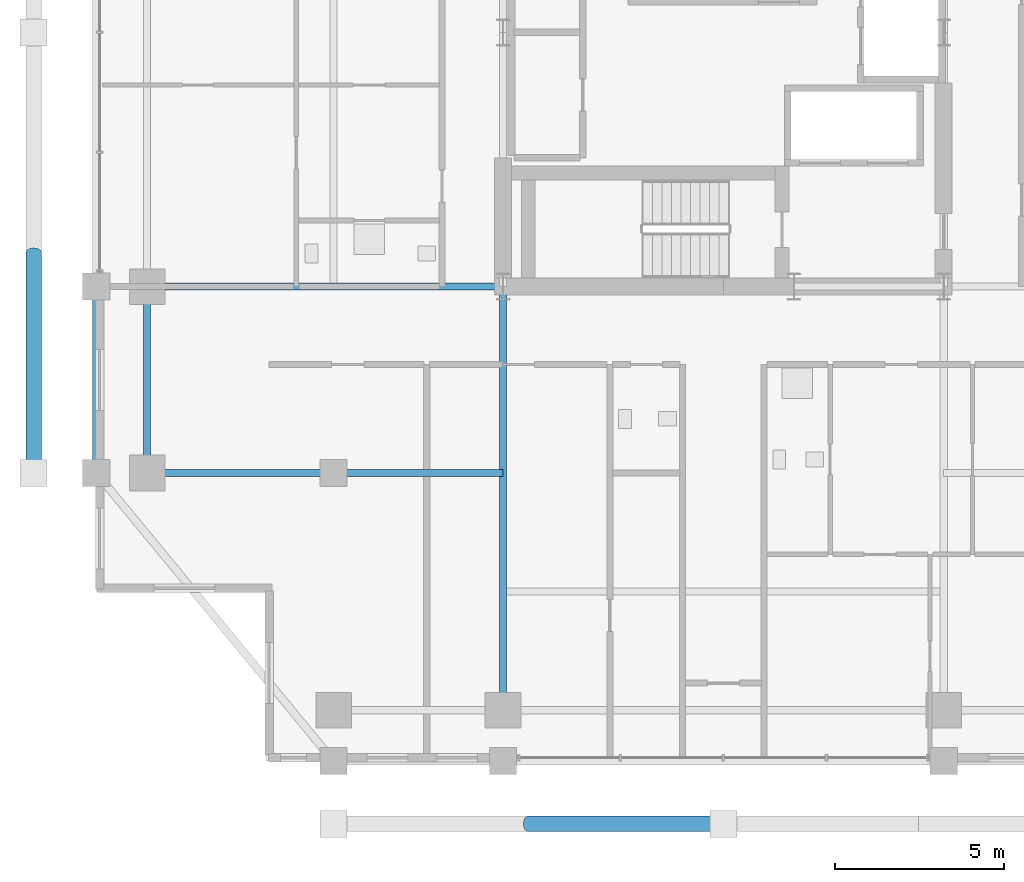
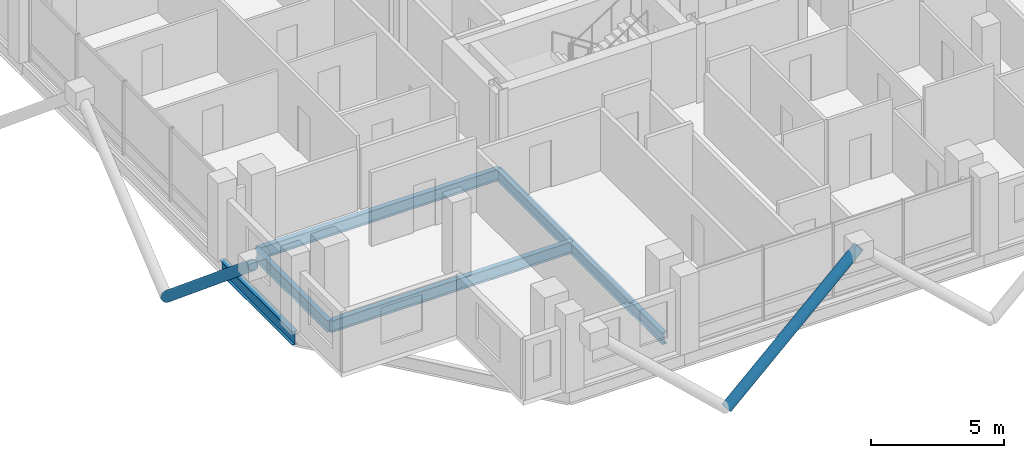
# One storey, part 3 of 24: 6 beams, 2 members.
"""IFC4 building model written with IfcOpenShell, lengths in metres."""

from ifc_helpers import new_model, si_unit, direction, frame, origin, origin_2d, place, context, subcontext, project, spatial, hollow_circle, i_section, extrude, material, material_profile, profile_set, type_object, element, save


model = new_model("IFC4")

# Units and contexts
model_context = context("Model", 3, precision=1e-05, world=origin(), true_north=direction((0.0, 1.0)))
body_context = subcontext(model_context, "Body", "Model", "MODEL_VIEW")
ifc_project = project(units=[si_unit("LENGTHUNIT", "METRE"), si_unit("AREAUNIT", "SQUARE_METRE"), si_unit("VOLUMEUNIT", "CUBIC_METRE"), si_unit("PLANEANGLEUNIT", "RADIAN"), si_unit("MASSUNIT", "GRAM", prefix="KILO")], contexts=[model_context])

# Site, building, storey
site_placement = place(None, origin())
site = spatial("IfcSite", under=ifc_project, at=site_placement, CompositionType="ELEMENT")
building_placement = place(site_placement, origin())
building = spatial("IfcBuilding", under=site, at=building_placement, Name="Barlavira Tower and Art Museum", CompositionType="ELEMENT")
storey_placement = place(building_placement, frame((0.0, 0.0, 183.60009765625)))
storey = spatial("IfcBuildingStorey", under=building, at=storey_placement, Name="L47", CompositionType="ELEMENT", Elevation=183.60009765625)

# Members
ifc_material = material(Name="Steel S355", Category="steel")
ifc_material_profile_1 = material_profile(ifc_material, hollow_circle(Radius=0.228515625, WallThickness=0.02001953125, at=origin_2d()), Name="CHS 457.0x20.0")
ifc_profile_set_1 = profile_set([ifc_material_profile_1], Name="Steel S355")
member_type = type_object("IfcMemberType", Name="Pale-Metal Exoskeleton Diagrid Tube CHS 457x20 Steel S355", PredefinedType="BRACE", material=ifc_profile_set_1)
member_1_placement = place(storey_placement, frame((-5.75, -23.35009765625, -1.920166015625), z_axis=(0.728934650808, 0.0, 0.684583285548), x_axis=(0.0, 1.0, 0.0)))
element("IfcMember", 1, at=member_1_placement, inside=storey, type_object=member_type, Name="L47 Exoskeleton Diagrid Tube S", PredefinedType="BRACE", context=body_context, shape_type="SweptSolid", body=[
    extrude(hollow_circle(Radius=0.228515625, WallThickness=0.02001953125, at=origin_2d()), origin(), (0.0, 0.0, 1.0), 7.88818359375),
])
member_2_placement = place(storey_placement, frame((-20.35009765625, -6.5, -1.920166015625), z_axis=(0.0, -0.76918185268, 0.639029950399), x_axis=(1.0, 0.0, 0.0)))
element("IfcMember", 2, at=member_2_placement, inside=storey, type_object=member_type, Name="L47 Exoskeleton Diagrid Tube W", PredefinedType="BRACE", context=body_context, shape_type="SweptSolid", body=[
    extrude(hollow_circle(Radius=0.228515625, WallThickness=0.02001953125, at=origin_2d()), origin(), (0.0, 0.0, 1.0), 8.450439453125),
])

# Beams
ifc_material_profile_2 = material_profile(ifc_material, i_section(OverallWidth=0.22998046875, OverallDepth=0.616943359375, WebThickness=0.01318359375, FlangeThickness=0.022216796875, at=origin_2d()), Name="W610x140.0")
ifc_profile_set_2 = profile_set([ifc_material_profile_2], Name="Steel S355")
beam_type_1 = type_object("IfcBeamType", Name="Upper Shaft Spandrel Edge Beam W610x140 Steel S355", PredefinedType="SPANDREL", material=ifc_profile_set_2)
beam_1_placement = place(storey_placement, frame((-18.5, -13.0, -0.528564453125), z_axis=(0.0, 1.0, 0.0), x_axis=(-1.0, 0.0, 0.0)))
element("IfcBeam", 3, at=beam_1_placement, inside=storey, type_object=beam_type_1, Name="L47 Spandrel 15", PredefinedType="SPANDREL", context=body_context, shape_type="SweptSolid", body=[
    extrude(i_section(OverallWidth=0.22998046875, OverallDepth=0.616943359375, WebThickness=0.01318359375, FlangeThickness=0.022216796875, at=origin_2d()), origin(), (0.0, 0.0, 1.0), 5.5),
])
ifc_material_profile_3 = material_profile(ifc_material, i_section(OverallWidth=0.2109375, OverallDepth=0.5390625, WebThickness=0.01171875, FlangeThickness=0.018798828125, at=origin_2d()), Name="W530x109.0")
ifc_profile_set_3 = profile_set([ifc_material_profile_3], Name="Steel S355")
beam_type_2 = type_object("IfcBeamType", Name="Zone 3-4 Primary Floor Girder W530x109 Steel S355", PredefinedType="BEAM", material=ifc_profile_set_3)
beam_2_placement = place(storey_placement, frame((-17.0, -13.0, -0.489501953125), z_axis=(0.0, 1.0, 0.0), x_axis=(-1.0, 0.0, 0.0)))
element("IfcBeam", 4, at=beam_2_placement, inside=storey, type_object=beam_type_2, Name="L47 Girder M-W1", PredefinedType="BEAM", context=body_context, shape_type="SweptSolid", body=[
    extrude(i_section(OverallWidth=0.2109375, OverallDepth=0.5390625, WebThickness=0.01171875, FlangeThickness=0.018798828125, at=origin_2d()), origin(), (0.0, 0.0, 1.0), 5.5),
])
beam_3_placement = place(storey_placement, frame((-6.5, -20.0, -0.489501953125), z_axis=(0.0, 1.0, 0.0), x_axis=(-1.0, 0.0, 0.0)))
element("IfcBeam", 5, at=beam_3_placement, inside=storey, type_object=beam_type_2, Name="L47 Girder R-S1", PredefinedType="BEAM", context=body_context, shape_type="SweptSolid", body=[
    extrude(i_section(OverallWidth=0.2109375, OverallDepth=0.5390625, WebThickness=0.01171875, FlangeThickness=0.018798828125, at=origin_2d()), origin(), (0.0, 0.0, 1.0), 12.5),
])
beam_4_placement = place(storey_placement, frame((-17.0, -7.5, -0.489501953125), z_axis=(1.0, 0.0, 0.0), x_axis=(0.0, 1.0, 0.0)))
element("IfcBeam", 6, at=beam_4_placement, inside=storey, type_object=beam_type_2, Name="L47 Girder R-W1", PredefinedType="BEAM", context=body_context, shape_type="SweptSolid", body=[
    extrude(i_section(OverallWidth=0.2109375, OverallDepth=0.5390625, WebThickness=0.01171875, FlangeThickness=0.018798828125, at=origin_2d()), origin(), (0.0, 0.0, 1.0), 10.5),
])
beam_5_placement = place(storey_placement, frame((-17.0, -13.0, -0.489501953125), z_axis=(1.0, 0.0, 0.0), x_axis=(0.0, 1.0, 0.0)))
element("IfcBeam", 7, at=beam_5_placement, inside=storey, type_object=beam_type_2, Name="L47 Girder I-S1", PredefinedType="BEAM", context=body_context, shape_type="SweptSolid", body=[
    extrude(i_section(OverallWidth=0.2109375, OverallDepth=0.5390625, WebThickness=0.01171875, FlangeThickness=0.018798828125, at=origin_2d()), origin(), (0.0, 0.0, 1.0), 5.5),
])
beam_6_placement = place(storey_placement, frame((-11.5, -13.0, -0.489501953125), z_axis=(1.0, 0.0, 0.0), x_axis=(0.0, 1.0, 0.0)))
element("IfcBeam", 8, at=beam_6_placement, inside=storey, type_object=beam_type_2, Name="L47 Girder I-S2", PredefinedType="BEAM", context=body_context, shape_type="SweptSolid", body=[
    extrude(i_section(OverallWidth=0.2109375, OverallDepth=0.5390625, WebThickness=0.01171875, FlangeThickness=0.018798828125, at=origin_2d()), origin(), (0.0, 0.0, 1.0), 5.0),
])

save(model, "model.ifc")
